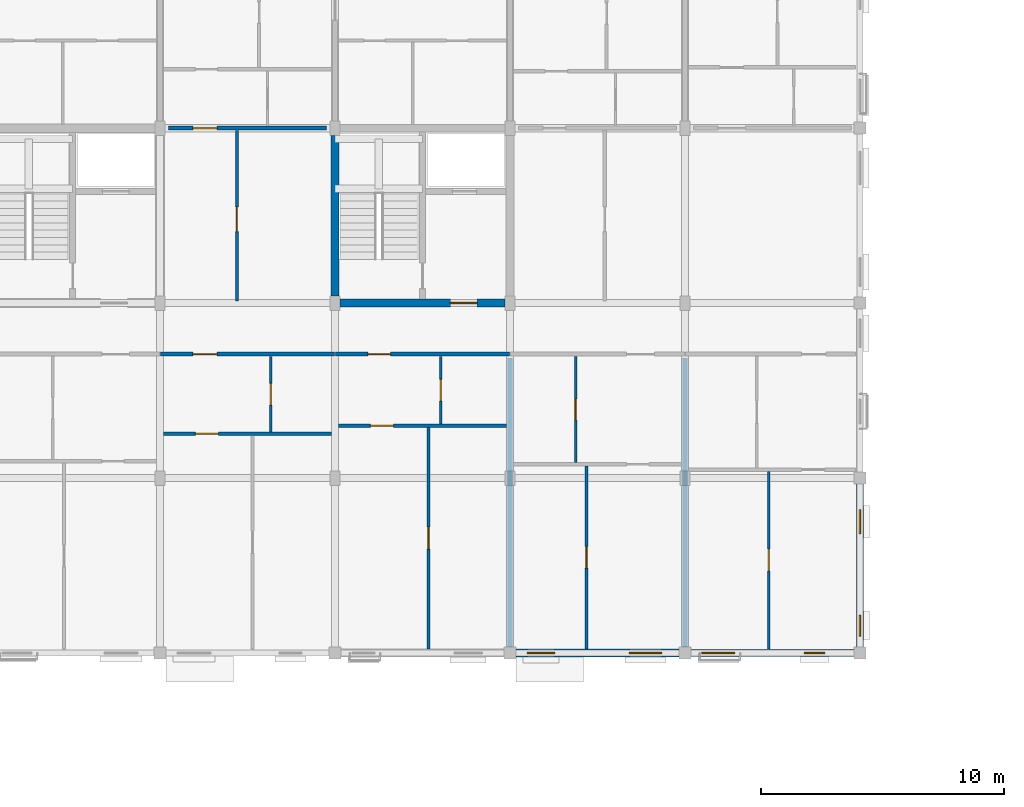
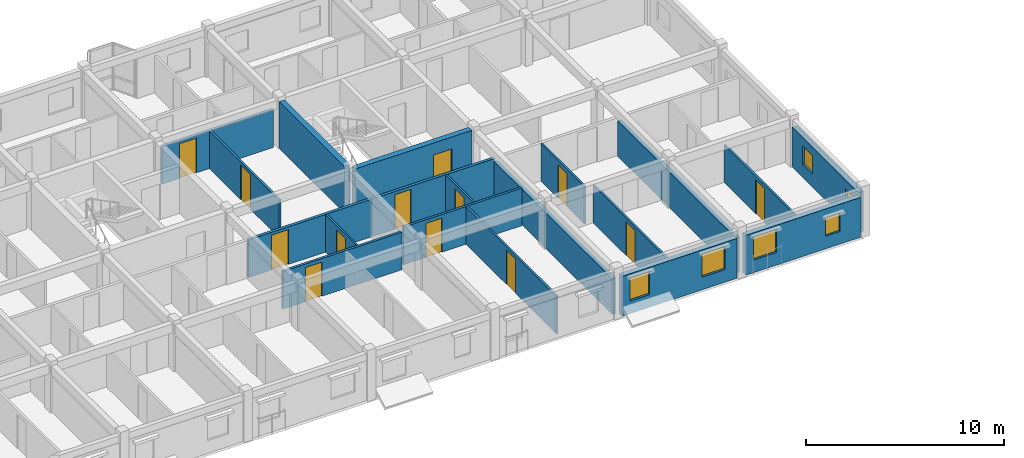
# One storey, part 28 of 38: 19 walls, 13 doors, 6 windows, 19 openings.
"""IFC4 building model written with IfcOpenShell, lengths in metres."""

from ifc_helpers import new_model, si_unit, direction, frame, frame_2d, origin, place, context, subcontext, project, spatial, rectangle, extrude, material, layer, layer_set, type_object, element, fill, save


model = new_model("IFC4")

# Units and contexts
model_context = context("Model", 3, precision=1e-05, world=origin(), true_north=direction((0.0, 1.0)))
body_context = subcontext(model_context, "Body", "Model", "MODEL_VIEW")
ifc_project = project(units=[si_unit("LENGTHUNIT", "METRE"), si_unit("AREAUNIT", "SQUARE_METRE"), si_unit("VOLUMEUNIT", "CUBIC_METRE"), si_unit("PLANEANGLEUNIT", "RADIAN"), si_unit("MASSUNIT", "GRAM", prefix="KILO"), si_unit("THERMODYNAMICTEMPERATUREUNIT", "KELVIN"), si_unit("POWERUNIT", "WATT")], contexts=[model_context])

# Site, building, storey
site_placement = place(None, origin())
site = spatial("IfcSite", under=ifc_project, at=site_placement, CompositionType="ELEMENT")
building_placement = place(site_placement, origin())
building = spatial("IfcBuilding", under=site, at=building_placement, Name="Tavuni Mirador Residences", CompositionType="ELEMENT")
storey_placement = place(building_placement, frame((0.0, 0.0, 32.85009765625)))
storey = spatial("IfcBuildingStorey", under=building, at=storey_placement, Name="L10", CompositionType="ELEMENT", Elevation=32.85009765625)

# Wall
ifc_material_1 = material(Name="Precast concrete C40/50", Category="concrete")
ifc_layer_1 = layer(ifc_material_1, 0.320068359375, Name="Precast concrete C40/50", Category="concrete")
ifc_layer_set_1 = layer_set([ifc_layer_1], Name="Precast concrete C40/50")
wall_type_1 = type_object("IfcWallType", Name="WT-COR320", PredefinedType="SHEAR", material=ifc_layer_set_1)
wall_1_placement = place(storey_placement, frame((39.60009765625, 158.699951171875, 0.0), z_axis=(0.0, 0.0, 1.0), x_axis=(0.0, 1.0, 0.0)))
element("IfcWall", 1, at=wall_1_placement, inside=storey, type_object=wall_type_1, Name="CWALL-C6-L10-W", PredefinedType="SHEAR", context=body_context, shape_type="SweptSolid", body=[
    extrude(rectangle(XDim=6.60009765625, YDim=0.320068359375, at=frame_2d((3.300048828125, 0.0))), origin(), (0.0, 0.0, 1.0), 2.885009765625),
])

# Wall, opening, door
wall_2_placement = place(storey_placement, frame((39.800048828125, 158.39990234375, 0.0), z_axis=(0.0, 0.0, 1.0), x_axis=(1.0, 0.0, 0.0)))
wall_2 = element("IfcWall", 2, at=wall_2_placement, inside=storey, type_object=wall_type_1, Name="CWALL-C6-L10-SS", PredefinedType="SHEAR", context=body_context, shape_type="SweptSolid", body=[
    extrude(rectangle(XDim=6.800048828125, YDim=0.320068359375, at=frame_2d((3.39990234375, 0.0))), origin(), (0.0, 0.0, 1.0), 2.885009765625),
])
opening_1_placement = place(wall_2_placement, frame((4.550048828125, 0.0, 0.0)))
opening_1 = element("IfcOpeningElement", 3, at=opening_1_placement, cuts=wall_2, Name="Opening D-02", PredefinedType="OPENING", context=body_context, shape_type="SweptSolid", body=[
    extrude(rectangle(XDim=1.10009765625, YDim=2.14990234375, at=frame_2d((0.550048828125, 1.074951171875))), frame((0.0, 0.169921875, 0.0), z_axis=(0.0, -1.0, 0.0), x_axis=(1.0, 0.0, 0.0)), (0.0, 0.0, 1.0), 0.340087890625),
])
ifc_material_2 = material(Name="Solid core iroko timber", Category="wood")
door_type_1 = type_object("IfcDoorType", Name="DT-LOB1100", OperationType="NOTDEFINED", PredefinedType="DOOR", material=ifc_material_2)
door_1_placement = place(opening_1_placement, frame((1.10009765625, 0.0, 0.0), z_axis=(0.0, 0.0, 1.0), x_axis=(-1.0, 0.0, 0.0)))
door_1 = element("IfcDoor", 4, at=door_1_placement, inside=storey, type_object=door_type_1, Name="DR-2249", OperationType="SINGLE_SWING_LEFT", OverallHeight=2.14990234375, OverallWidth=1.10009765625, PredefinedType="DOOR", context=body_context, shape_type="SweptSolid", body=[
    extrude(rectangle(XDim=1.10009765625, YDim=2.14990234375, at=frame_2d((0.550048828125, 1.074951171875))), frame((0.0, 0.02490234375, 0.0), z_axis=(0.0, -1.0, 0.0), x_axis=(1.0, 0.0, 0.0)), (0.0, 0.0, 1.0), 0.050048828125),
])
fill(opening_1, door_1)

ifc_layer_2 = layer(ifc_material_1, 0.1650390625, Name="Precast concrete C40/50", Category="concrete")
ifc_layer_set_2 = layer_set([ifc_layer_2], Name="Precast concrete C40/50")
wall_type_2 = type_object("IfcWallType", Name="WT-CORR165", PredefinedType="PARTITIONING", material=ifc_layer_set_2)
wall_3_placement = place(storey_placement, frame((32.419921875, 156.300048828125, 0.0), z_axis=(0.0, 0.0, 1.0), x_axis=(1.0, 0.0, 0.0)))
wall_3 = element("IfcWall", 5, at=wall_3_placement, inside=storey, type_object=wall_type_2, Name="CORW-BLK-C-L10-0-03", PredefinedType="PARTITIONING", context=body_context, shape_type="SweptSolid", body=[
    extrude(rectangle(XDim=7.16015625, YDim=0.1650390625, at=frame_2d((3.580078125, 0.0))), origin(), (0.0, 0.0, 1.0), 2.31982421875),
])
opening_2_placement = place(wall_3_placement, frame((1.330078125, 0.0, 0.0)))
opening_2 = element("IfcOpeningElement", 6, at=opening_2_placement, cuts=wall_3, Name="Opening D-03", PredefinedType="OPENING", context=body_context, shape_type="SweptSolid", body=[
    extrude(rectangle(XDim=1.0, YDim=2.14990234375, at=frame_2d((0.5, 1.074951171875))), frame((0.0, 0.092529296875, 0.0), z_axis=(0.0, -1.0, 0.0), x_axis=(1.0, 0.0, 0.0)), (0.0, 0.0, 1.0), 0.18505859375),
])
door_type_2 = type_object("IfcDoorType", Name="DT-FD60-1000", OperationType="NOTDEFINED", PredefinedType="DOOR", material=ifc_material_2)
door_2_placement = place(opening_2_placement, origin())
door_2 = element("IfcDoor", 7, at=door_2_placement, inside=storey, type_object=door_type_2, Name="DR-2766", OperationType="SINGLE_SWING_LEFT", OverallHeight=2.14990234375, OverallWidth=1.0, PredefinedType="DOOR", context=body_context, shape_type="SweptSolid", body=[
    extrude(rectangle(XDim=1.0, YDim=2.14990234375, at=frame_2d((0.5, 1.074951171875))), frame((0.0, 0.02490234375, 0.0), z_axis=(0.0, -1.0, 0.0), x_axis=(1.0, 0.0, 0.0)), (0.0, 0.0, 1.0), 0.050048828125),
])
fill(opening_2, door_2)

wall_4_placement = place(storey_placement, frame((39.6201171875, 156.300048828125, 0.0), z_axis=(0.0, 0.0, 1.0), x_axis=(1.0, 0.0, 0.0)))
wall_4 = element("IfcWall", 8, at=wall_4_placement, inside=storey, type_object=wall_type_2, Name="CORW-BLK-C-L10-0-04", PredefinedType="PARTITIONING", context=body_context, shape_type="SweptSolid", body=[
    extrude(rectangle(XDim=7.159912109375, YDim=0.1650390625, at=frame_2d((3.580078125, 0.0))), origin(), (0.0, 0.0, 1.0), 2.31982421875),
])
opening_3_placement = place(wall_4_placement, frame((1.330078125, 0.0, 0.0)))
opening_3 = element("IfcOpeningElement", 9, at=opening_3_placement, cuts=wall_4, Name="Opening D-19", PredefinedType="OPENING", context=body_context, shape_type="SweptSolid", body=[
    extrude(rectangle(XDim=0.93994140625, YDim=2.1201171875, at=frame_2d((0.469970703125, 1.06005859375))), frame((0.0, 0.092529296875, 0.0), z_axis=(0.0, -1.0, 0.0), x_axis=(1.0, 0.0, 0.0)), (0.0, 0.0, 1.0), 0.18505859375),
])
door_type_3 = type_object("IfcDoorType", Name="DT-FD60-940", OperationType="NOTDEFINED", PredefinedType="DOOR", material=ifc_material_2)
door_3_placement = place(opening_3_placement, origin())
door_3 = element("IfcDoor", 10, at=door_3_placement, inside=storey, type_object=door_type_3, Name="DR-2767", OperationType="SINGLE_SWING_RIGHT", OverallHeight=2.1201171875, OverallWidth=0.93994140625, PredefinedType="DOOR", context=body_context, shape_type="SweptSolid", body=[
    extrude(rectangle(XDim=0.93994140625, YDim=2.1201171875, at=frame_2d((0.469970703125, 1.06005859375))), frame((0.0, 0.02490234375, 0.0), z_axis=(0.0, -1.0, 0.0), x_axis=(1.0, 0.0, 0.0)), (0.0, 0.0, 1.0), 0.050048828125),
])
fill(opening_3, door_3)

wall_5_placement = place(storey_placement, frame((32.75, 165.60009765625, 0.0), z_axis=(0.0, 0.0, 1.0), x_axis=(1.0, 0.0, 0.0)))
wall_5 = element("IfcWall", 11, at=wall_5_placement, inside=storey, type_object=wall_type_2, Name="CORW-BLK-C-L10-1-03", PredefinedType="PARTITIONING", context=body_context, shape_type="SweptSolid", body=[
    extrude(rectangle(XDim=6.5, YDim=0.1650390625, at=frame_2d((3.25, 0.0))), origin(), (0.0, 0.0, 1.0), 2.31982421875),
])
opening_4_placement = place(wall_5_placement, frame((1.0, 0.0, 0.0)))
opening_4 = element("IfcOpeningElement", 12, at=opening_4_placement, cuts=wall_5, Name="Opening D-03", PredefinedType="OPENING", context=body_context, shape_type="SweptSolid", body=[
    extrude(rectangle(XDim=1.0, YDim=2.14990234375, at=frame_2d((0.5, 1.074951171875))), frame((0.0, 0.092529296875, 0.0), z_axis=(0.0, -1.0, 0.0), x_axis=(1.0, 0.0, 0.0)), (0.0, 0.0, 1.0), 0.18505859375),
])
door_4_placement = place(opening_4_placement, origin())
door_4 = element("IfcDoor", 13, at=door_4_placement, inside=storey, type_object=door_type_2, Name="DR-2772", OperationType="SINGLE_SWING_LEFT", OverallHeight=2.14990234375, OverallWidth=1.0, PredefinedType="DOOR", context=body_context, shape_type="SweptSolid", body=[
    extrude(rectangle(XDim=1.0, YDim=2.14990234375, at=frame_2d((0.5, 1.074951171875))), frame((0.0, 0.02490234375, 0.0), z_axis=(0.0, -1.0, 0.0), x_axis=(1.0, 0.0, 0.0)), (0.0, 0.0, 1.0), 0.050048828125),
])
fill(opening_4, door_4)

# Wall, openings, windows
ifc_material_3 = material(Name="Sgraffito lime-rendered precast concrete C40/50", Category="concrete")
ifc_layer_3 = layer(ifc_material_3, 0.2900390625, Name="Sgraffito lime-rendered precast concrete C40/50", Category="concrete")
ifc_layer_set_3 = layer_set([ifc_layer_3], Name="Sgraffito lime-rendered precast concrete C40/50")
wall_type_3 = type_object("IfcWallType", Name="WT-EXT-PC290", PredefinedType="SOLIDWALL", material=ifc_layer_set_3)
wall_6_placement = place(storey_placement, frame((61.199951171875, 144.25, 0.0), z_axis=(0.0, 0.0, 1.0), x_axis=(0.0, 1.0, 0.0)))
wall_6 = element("IfcWall", 14, at=wall_6_placement, inside=storey, type_object=wall_type_3, Name="EW-BLK-C-L10-E00", PredefinedType="SOLIDWALL", context=body_context, shape_type="SweptSolid", body=[
    extrude(rectangle(XDim=6.699951171875, YDim=0.2900390625, at=frame_2d((3.35009765625, 0.0))), origin(), (0.0, 0.0, 1.0), 2.454833984375),
])
opening_5_placement = place(wall_6_placement, frame((0.449951171875, 0.0, 0.780029296875)))
opening_5 = element("IfcOpeningElement", 15, at=opening_5_placement, cuts=wall_6, Name="Opening WN-01", PredefinedType="OPENING", context=body_context, shape_type="SweptSolid", body=[
    extrude(rectangle(XDim=0.85009765625, YDim=1.14990234375, at=frame_2d((0.425048828125, 0.574951171875))), frame((0.0, 0.155029296875, 0.0), z_axis=(0.0, -1.0, 0.0), x_axis=(1.0, 0.0, 0.0)), (0.0, 0.0, 1.0), 0.31005859375),
])
opening_6_placement = place(wall_6_placement, frame((4.64990234375, 0.0, 0.780029296875)))
opening_6 = element("IfcOpeningElement", 16, at=opening_6_placement, cuts=wall_6, Name="Opening WN-03", PredefinedType="OPENING", context=body_context, shape_type="SweptSolid", body=[
    extrude(rectangle(XDim=1.0, YDim=1.14990234375, at=frame_2d((0.5, 0.574951171875))), frame((0.0, 0.155029296875, 0.0), z_axis=(0.0, -1.0, 0.0), x_axis=(1.0, 0.0, 0.0)), (0.0, 0.0, 1.0), 0.31005859375),
])
ifc_material_4 = material(Name="Laminated solar-control glass", Category="glass")
window_type_1 = type_object("IfcWindowType", Name="WNT-01", PartitioningType="SINGLE_PANEL", PredefinedType="WINDOW", material=ifc_material_4)
window_1_placement = place(opening_5_placement, origin())
window_1 = element("IfcWindow", 17, at=window_1_placement, inside=storey, type_object=window_type_1, Name="WIN-1280", OverallHeight=1.14990234375, OverallWidth=0.85009765625, PartitioningType="SINGLE_PANEL", PredefinedType="WINDOW", context=body_context, shape_type="SweptSolid", body=[
    extrude(rectangle(XDim=0.85009765625, YDim=1.14990234375, at=frame_2d((0.425048828125, 0.574951171875))), frame((0.0, 0.030029296875, 0.0), z_axis=(0.0, -1.0, 0.0), x_axis=(1.0, 0.0, 0.0)), (0.0, 0.0, 1.0), 0.06005859375),
])
fill(opening_5, window_1)
window_type_2 = type_object("IfcWindowType", Name="WNT-03", PartitioningType="SINGLE_PANEL", PredefinedType="WINDOW", material=ifc_material_4)
window_2_placement = place(opening_6_placement, origin())
window_2 = element("IfcWindow", 18, at=window_2_placement, inside=storey, type_object=window_type_2, Name="WIN-1281", OverallHeight=1.14990234375, OverallWidth=1.0, PartitioningType="SINGLE_PANEL", PredefinedType="WINDOW", context=body_context, shape_type="SweptSolid", body=[
    extrude(rectangle(XDim=1.0, YDim=1.14990234375, at=frame_2d((0.5, 0.574951171875))), frame((0.0, 0.030029296875, 0.0), z_axis=(0.0, -1.0, 0.0), x_axis=(1.0, 0.0, 0.0)), (0.0, 0.0, 1.0), 0.06005859375),
])
fill(opening_6, window_2)

ifc_layer_4 = layer(ifc_material_3, 0.304931640625, Name="Sgraffito lime-rendered precast concrete C40/50", Category="concrete")
ifc_layer_set_4 = layer_set([ifc_layer_4], Name="Sgraffito lime-rendered precast concrete C40/50")
wall_type_4 = type_object("IfcWallType", Name="WT-EXT-PC305", PredefinedType="SOLIDWALL", material=ifc_layer_set_4)
wall_7_placement = place(storey_placement, frame((54.25, 144.0, 0.0), z_axis=(0.0, 0.0, 1.0), x_axis=(1.0, 0.0, 0.0)))
wall_7 = element("IfcWall", 19, at=wall_7_placement, inside=storey, type_object=wall_type_4, Name="EW-BLK-C-L10-S06", PredefinedType="SOLIDWALL", context=body_context, shape_type="SweptSolid", body=[
    extrude(rectangle(XDim=6.699951171875, YDim=0.304931640625, at=frame_2d((3.35009765625, 0.0))), origin(), (0.0, 0.0, 1.0), 2.454833984375),
])
opening_7_placement = place(wall_7_placement, frame((0.449951171875, 0.0, 0.780029296875)))
opening_7 = element("IfcOpeningElement", 20, at=opening_7_placement, cuts=wall_7, Name="Opening WN-29", PredefinedType="OPENING", context=body_context, shape_type="SweptSolid", body=[
    extrude(rectangle(XDim=1.35009765625, YDim=1.43994140625, at=frame_2d((0.675048828125, 0.719970703125))), frame((0.0, 0.16259765625, 0.0), z_axis=(0.0, -1.0, 0.0), x_axis=(1.0, 0.0, 0.0)), (0.0, 0.0, 1.0), 0.324951171875),
])
opening_8_placement = place(wall_7_placement, frame((4.64990234375, 0.0, 0.780029296875)))
opening_8 = element("IfcOpeningElement", 21, at=opening_8_placement, cuts=wall_7, Name="Opening WN-01", PredefinedType="OPENING", context=body_context, shape_type="SweptSolid", body=[
    extrude(rectangle(XDim=0.85009765625, YDim=1.14990234375, at=frame_2d((0.425048828125, 0.574951171875))), frame((0.0, 0.16259765625, 0.0), z_axis=(0.0, -1.0, 0.0), x_axis=(1.0, 0.0, 0.0)), (0.0, 0.0, 1.0), 0.324951171875),
])
window_3_placement = place(opening_8_placement, origin())
window_3 = element("IfcWindow", 22, at=window_3_placement, inside=storey, type_object=window_type_1, Name="WIN-1279", OverallHeight=1.14990234375, OverallWidth=0.85009765625, PartitioningType="SINGLE_PANEL", PredefinedType="WINDOW", context=body_context, shape_type="SweptSolid", body=[
    extrude(rectangle(XDim=0.85009765625, YDim=1.14990234375, at=frame_2d((0.425048828125, 0.574951171875))), frame((0.0, 0.030029296875, 0.0), z_axis=(0.0, -1.0, 0.0), x_axis=(1.0, 0.0, 0.0)), (0.0, 0.0, 1.0), 0.06005859375),
])
fill(opening_8, window_3)
window_type_3 = type_object("IfcWindowType", Name="WNT-29", PartitioningType="SINGLE_PANEL", PredefinedType="WINDOW", material=ifc_material_4)
window_4_placement = place(opening_7_placement, origin())
window_4 = element("IfcWindow", 23, at=window_4_placement, inside=storey, type_object=window_type_3, Name="WIN-1278", OverallHeight=1.43994140625, OverallWidth=1.35009765625, PartitioningType="SINGLE_PANEL", PredefinedType="WINDOW", context=body_context, shape_type="SweptSolid", body=[
    extrude(rectangle(XDim=1.35009765625, YDim=1.43994140625, at=frame_2d((0.675048828125, 0.719970703125))), frame((0.0, 0.030029296875, 0.0), z_axis=(0.0, -1.0, 0.0), x_axis=(1.0, 0.0, 0.0)), (0.0, 0.0, 1.0), 0.06005859375),
])
fill(opening_7, window_4)

ifc_layer_5 = layer(ifc_material_3, 0.31494140625, Name="Sgraffito lime-rendered precast concrete C40/50", Category="concrete")
ifc_layer_set_5 = layer_set([ifc_layer_5], Name="Sgraffito lime-rendered precast concrete C40/50")
wall_type_5 = type_object("IfcWallType", Name="WT-EXT-PC315", PredefinedType="SOLIDWALL", material=ifc_layer_set_5)
wall_8_placement = place(storey_placement, frame((47.050048828125, 144.0, 0.0), z_axis=(0.0, 0.0, 1.0), x_axis=(1.0, 0.0, 0.0)))
wall_8 = element("IfcWall", 24, at=wall_8_placement, inside=storey, type_object=wall_type_5, Name="EW-BLK-C-L10-S05", PredefinedType="SOLIDWALL", context=body_context, shape_type="SweptSolid", body=[
    extrude(rectangle(XDim=6.699951171875, YDim=0.31494140625, at=frame_2d((3.35009765625, 0.0))), origin(), (0.0, 0.0, 1.0), 2.454833984375),
])
opening_9_placement = place(wall_8_placement, frame((0.449951171875, 0.0, 0.780029296875)))
opening_9 = element("IfcOpeningElement", 25, at=opening_9_placement, cuts=wall_8, Name="Opening WN-27", PredefinedType="OPENING", context=body_context, shape_type="SweptSolid", body=[
    extrude(rectangle(XDim=1.14990234375, YDim=1.43994140625, at=frame_2d((0.574951171875, 0.719970703125))), frame((0.0, 0.16748046875, 0.0), z_axis=(0.0, -1.0, 0.0), x_axis=(1.0, 0.0, 0.0)), (0.0, 0.0, 1.0), 0.3349609375),
])
opening_10_placement = place(wall_8_placement, frame((4.64990234375, 0.0, 0.780029296875)))
opening_10 = element("IfcOpeningElement", 26, at=opening_10_placement, cuts=wall_8, Name="Opening WN-29", PredefinedType="OPENING", context=body_context, shape_type="SweptSolid", body=[
    extrude(rectangle(XDim=1.35009765625, YDim=1.43994140625, at=frame_2d((0.675048828125, 0.719970703125))), frame((0.0, 0.16748046875, 0.0), z_axis=(0.0, -1.0, 0.0), x_axis=(1.0, 0.0, 0.0)), (0.0, 0.0, 1.0), 0.3349609375),
])
window_type_4 = type_object("IfcWindowType", Name="WNT-27", PartitioningType="SINGLE_PANEL", PredefinedType="WINDOW", material=ifc_material_4)
window_5_placement = place(opening_9_placement, origin())
window_5 = element("IfcWindow", 27, at=window_5_placement, inside=storey, type_object=window_type_4, Name="WIN-1276", OverallHeight=1.43994140625, OverallWidth=1.14990234375, PartitioningType="SINGLE_PANEL", PredefinedType="WINDOW", context=body_context, shape_type="SweptSolid", body=[
    extrude(rectangle(XDim=1.14990234375, YDim=1.43994140625, at=frame_2d((0.574951171875, 0.719970703125))), frame((0.0, 0.030029296875, 0.0), z_axis=(0.0, -1.0, 0.0), x_axis=(1.0, 0.0, 0.0)), (0.0, 0.0, 1.0), 0.06005859375),
])
fill(opening_9, window_5)
window_6_placement = place(opening_10_placement, origin())
window_6 = element("IfcWindow", 28, at=window_6_placement, inside=storey, type_object=window_type_3, Name="WIN-1277", OverallHeight=1.43994140625, OverallWidth=1.35009765625, PartitioningType="SINGLE_PANEL", PredefinedType="WINDOW", context=body_context, shape_type="SweptSolid", body=[
    extrude(rectangle(XDim=1.35009765625, YDim=1.43994140625, at=frame_2d((0.675048828125, 0.719970703125))), frame((0.0, 0.030029296875, 0.0), z_axis=(0.0, -1.0, 0.0), x_axis=(1.0, 0.0, 0.0)), (0.0, 0.0, 1.0), 0.06005859375),
])
fill(opening_10, window_6)

# Wall, opening, door
ifc_material_5 = material(Name="Acoustic gypsum and concrete block partition", Category="concrete")
ifc_layer_6 = layer(ifc_material_5, 0.10498046875, Name="Acoustic gypsum and concrete block partition", Category="concrete")
ifc_layer_set_6 = layer_set([ifc_layer_6], Name="Acoustic gypsum and concrete block partition")
wall_type_6 = type_object("IfcWallType", Name="WT-PART105", PredefinedType="PARTITIONING", material=ifc_layer_set_6)
wall_9_placement = place(storey_placement, frame((36.949951171875, 153.090087890625, 0.0), z_axis=(0.0, 0.0, 1.0), x_axis=(0.0, 1.0, 0.0)))
wall_9 = element("IfcWall", 29, at=wall_9_placement, inside=storey, type_object=wall_type_6, Name="PW-BLK-C-L10-S03-IN1", PredefinedType="PARTITIONING", context=body_context, shape_type="SweptSolid", body=[
    extrude(rectangle(XDim=3.119873046875, YDim=0.10498046875, at=frame_2d((1.56005859375, 0.0))), origin(), (0.0, 0.0, 1.0), 2.31982421875),
])
opening_11_placement = place(wall_9_placement, frame((1.110107421875, 0.0, 0.0)))
opening_11 = element("IfcOpeningElement", 30, at=opening_11_placement, cuts=wall_9, Name="Opening D-09", PredefinedType="OPENING", context=body_context, shape_type="SweptSolid", body=[
    extrude(rectangle(XDim=0.89990234375, YDim=2.050048828125, at=frame_2d((0.449951171875, 1.02490234375))), frame((0.0, 0.0625, 0.0), z_axis=(0.0, -1.0, 0.0), x_axis=(1.0, 0.0, 0.0)), (0.0, 0.0, 1.0), 0.125),
])
door_type_4 = type_object("IfcDoorType", Name="DT-WC900", OperationType="NOTDEFINED", PredefinedType="DOOR", material=ifc_material_2)
door_5_placement = place(opening_11_placement, origin())
door_5 = element("IfcDoor", 31, at=door_5_placement, inside=storey, type_object=door_type_4, Name="DR-4175", OperationType="SINGLE_SWING_LEFT", OverallHeight=2.050048828125, OverallWidth=0.89990234375, PredefinedType="DOOR", context=body_context, shape_type="SweptSolid", body=[
    extrude(rectangle(XDim=0.89990234375, YDim=2.050048828125, at=frame_2d((0.449951171875, 1.02490234375))), frame((0.0, 0.02490234375, 0.0), z_axis=(0.0, -1.0, 0.0), x_axis=(1.0, 0.0, 0.0)), (0.0, 0.0, 1.0), 0.050048828125),
])
fill(opening_11, door_5)

wall_10_placement = place(storey_placement, frame((43.949951171875, 153.419921875, 0.0), z_axis=(0.0, 0.0, 1.0), x_axis=(0.0, 1.0, 0.0)))
wall_10 = element("IfcWall", 32, at=wall_10_placement, inside=storey, type_object=wall_type_6, Name="PW-BLK-C-L10-S04-IN1", PredefinedType="PARTITIONING", context=body_context, shape_type="SweptSolid", body=[
    extrude(rectangle(XDim=2.7900390625, YDim=0.10498046875, at=frame_2d((1.39501953125, 0.0))), origin(), (0.0, 0.0, 1.0), 2.31982421875),
])
opening_12_placement = place(wall_10_placement, frame((0.945068359375, 0.0, 0.0)))
opening_12 = element("IfcOpeningElement", 33, at=opening_12_placement, cuts=wall_10, Name="Opening D-09", PredefinedType="OPENING", context=body_context, shape_type="SweptSolid", body=[
    extrude(rectangle(XDim=0.89990234375, YDim=2.050048828125, at=frame_2d((0.449951171875, 1.02490234375))), frame((0.0, 0.0625, 0.0), z_axis=(0.0, -1.0, 0.0), x_axis=(1.0, 0.0, 0.0)), (0.0, 0.0, 1.0), 0.125),
])
door_6_placement = place(opening_12_placement, origin())
door_6 = element("IfcDoor", 34, at=door_6_placement, inside=storey, type_object=door_type_4, Name="DR-4181", OperationType="SINGLE_SWING_LEFT", OverallHeight=2.050048828125, OverallWidth=0.89990234375, PredefinedType="DOOR", context=body_context, shape_type="SweptSolid", body=[
    extrude(rectangle(XDim=0.89990234375, YDim=2.050048828125, at=frame_2d((0.449951171875, 1.02490234375))), frame((0.0, 0.02490234375, 0.0), z_axis=(0.0, -1.0, 0.0), x_axis=(1.0, 0.0, 0.0)), (0.0, 0.0, 1.0), 0.050048828125),
])
fill(opening_12, door_6)

wall_11_placement = place(storey_placement, frame((49.5, 151.840087890625, 0.0), z_axis=(0.0, 0.0, 1.0), x_axis=(0.0, 1.0, 0.0)))
wall_11 = element("IfcWall", 35, at=wall_11_placement, inside=storey, type_object=wall_type_6, Name="PW-BLK-C-L10-S05-IN1", PredefinedType="PARTITIONING", context=body_context, shape_type="SweptSolid", body=[
    extrude(rectangle(XDim=4.369873046875, YDim=0.10498046875, at=frame_2d((2.18505859375, 0.0))), origin(), (0.0, 0.0, 1.0), 2.31982421875),
])
opening_13_placement = place(wall_11_placement, frame((1.75, 0.0, 0.0)))
opening_13 = element("IfcOpeningElement", 36, at=opening_13_placement, cuts=wall_11, Name="Opening D-10", PredefinedType="OPENING", context=body_context, shape_type="SweptSolid", body=[
    extrude(rectangle(XDim=0.8701171875, YDim=2.050048828125, at=frame_2d((0.43505859375, 1.02490234375))), frame((0.0, 0.0625, 0.0), z_axis=(0.0, -1.0, 0.0), x_axis=(1.0, 0.0, 0.0)), (0.0, 0.0, 1.0), 0.125),
])
door_type_5 = type_object("IfcDoorType", Name="DT-WC870", OperationType="NOTDEFINED", PredefinedType="DOOR", material=ifc_material_2)
door_7_placement = place(opening_13_placement, origin())
door_7 = element("IfcDoor", 37, at=door_7_placement, inside=storey, type_object=door_type_5, Name="DR-4187", OperationType="SINGLE_SWING_RIGHT", OverallHeight=2.050048828125, OverallWidth=0.8701171875, PredefinedType="DOOR", context=body_context, shape_type="SweptSolid", body=[
    extrude(rectangle(XDim=0.8701171875, YDim=2.050048828125, at=frame_2d((0.43505859375, 1.02490234375))), frame((0.0, 0.02490234375, 0.0), z_axis=(0.0, -1.0, 0.0), x_axis=(1.0, 0.0, 0.0)), (0.0, 0.0, 1.0), 0.050048828125),
])
fill(opening_13, door_7)

ifc_layer_7 = layer(ifc_material_5, 0.114990234375, Name="Acoustic gypsum and concrete block partition", Category="concrete")
ifc_layer_set_7 = layer_set([ifc_layer_7], Name="Acoustic gypsum and concrete block partition")
wall_type_7 = type_object("IfcWallType", Name="WT-PART115", PredefinedType="PARTITIONING", material=ifc_layer_set_7)
wall_12_placement = place(storey_placement, frame((43.449951171875, 144.175048828125, 0.0), z_axis=(0.0, 0.0, 1.0), x_axis=(0.0, 1.0, 0.0)))
wall_12 = element("IfcWall", 38, at=wall_12_placement, inside=storey, type_object=wall_type_7, Name="PW-BLK-C-L10-S04-OUT", PredefinedType="PARTITIONING", context=body_context, shape_type="SweptSolid", body=[
    extrude(rectangle(XDim=9.10498046875, YDim=0.114990234375, at=frame_2d((4.552490234375, 0.0))), origin(), (0.0, 0.0, 1.0), 2.31982421875),
])
opening_14_placement = place(wall_12_placement, frame((4.1025390625, 0.0, 0.0)))
opening_14 = element("IfcOpeningElement", 39, at=opening_14_placement, cuts=wall_12, Name="Opening D-07", PredefinedType="OPENING", context=body_context, shape_type="SweptSolid", body=[
    extrude(rectangle(XDim=0.89990234375, YDim=2.10009765625, at=frame_2d((0.449951171875, 1.050048828125))), frame((0.0, 0.0673828125, 0.0), z_axis=(0.0, -1.0, 0.0), x_axis=(1.0, 0.0, 0.0)), (0.0, 0.0, 1.0), 0.135009765625),
])
door_type_6 = type_object("IfcDoorType", Name="DT-BED900", OperationType="NOTDEFINED", PredefinedType="DOOR", material=ifc_material_2)
door_8_placement = place(opening_14_placement, origin())
door_8 = element("IfcDoor", 40, at=door_8_placement, inside=storey, type_object=door_type_6, Name="DR-4180", OperationType="SINGLE_SWING_RIGHT", OverallHeight=2.10009765625, OverallWidth=0.89990234375, PredefinedType="DOOR", context=body_context, shape_type="SweptSolid", body=[
    extrude(rectangle(XDim=0.89990234375, YDim=2.10009765625, at=frame_2d((0.449951171875, 1.050048828125))), frame((0.0, 0.02490234375, 0.0), z_axis=(0.0, -1.0, 0.0), x_axis=(1.0, 0.0, 0.0)), (0.0, 0.0, 1.0), 0.050048828125),
])
fill(opening_14, door_8)

wall_13_placement = place(storey_placement, frame((49.949951171875, 144.175048828125, 0.0), z_axis=(0.0, 0.0, 1.0), x_axis=(0.0, 1.0, 0.0)))
wall_13 = element("IfcWall", 41, at=wall_13_placement, inside=storey, type_object=wall_type_7, Name="PW-BLK-C-L10-S05-OUT", PredefinedType="PARTITIONING", context=body_context, shape_type="SweptSolid", body=[
    extrude(rectangle(XDim=7.52490234375, YDim=0.114990234375, at=frame_2d((3.762451171875, 0.0))), origin(), (0.0, 0.0, 1.0), 2.31982421875),
])
opening_15_placement = place(wall_13_placement, frame((3.322509765625, 0.0, 0.0)))
opening_15 = element("IfcOpeningElement", 42, at=opening_15_placement, cuts=wall_13, Name="Opening D-08", PredefinedType="OPENING", context=body_context, shape_type="SweptSolid", body=[
    extrude(rectangle(XDim=0.8798828125, YDim=2.080078125, at=frame_2d((0.43994140625, 1.0400390625))), frame((0.0, 0.0673828125, 0.0), z_axis=(0.0, -1.0, 0.0), x_axis=(1.0, 0.0, 0.0)), (0.0, 0.0, 1.0), 0.135009765625),
])
door_type_7 = type_object("IfcDoorType", Name="DT-BED880", OperationType="NOTDEFINED", PredefinedType="DOOR", material=ifc_material_2)
door_9_placement = place(opening_15_placement, origin())
door_9 = element("IfcDoor", 43, at=door_9_placement, inside=storey, type_object=door_type_7, Name="DR-4186", OperationType="SINGLE_SWING_LEFT", OverallHeight=2.080078125, OverallWidth=0.8798828125, PredefinedType="DOOR", context=body_context, shape_type="SweptSolid", body=[
    extrude(rectangle(XDim=0.8798828125, YDim=2.080078125, at=frame_2d((0.43994140625, 1.0400390625))), frame((0.0, 0.02490234375, 0.0), z_axis=(0.0, -1.0, 0.0), x_axis=(1.0, 0.0, 0.0)), (0.0, 0.0, 1.0), 0.050048828125),
])
fill(opening_15, door_9)

wall_14_placement = place(storey_placement, frame((57.449951171875, 144.175048828125, 0.0), z_axis=(0.0, 0.0, 1.0), x_axis=(0.0, 1.0, 0.0)))
wall_14 = element("IfcWall", 44, at=wall_14_placement, inside=storey, type_object=wall_type_7, Name="PW-BLK-C-L10-S06-OUT", PredefinedType="PARTITIONING", context=body_context, shape_type="SweptSolid", body=[
    extrude(rectangle(XDim=7.304931640625, YDim=0.114990234375, at=frame_2d((3.65234375, 0.0))), origin(), (0.0, 0.0, 1.0), 2.31982421875),
])
opening_16_placement = place(wall_14_placement, frame((3.202392578125, 0.0, 0.0)))
opening_16 = element("IfcOpeningElement", 45, at=opening_16_placement, cuts=wall_14, Name="Opening D-07", PredefinedType="OPENING", context=body_context, shape_type="SweptSolid", body=[
    extrude(rectangle(XDim=0.89990234375, YDim=2.10009765625, at=frame_2d((0.449951171875, 1.050048828125))), frame((0.0, 0.0673828125, 0.0), z_axis=(0.0, -1.0, 0.0), x_axis=(1.0, 0.0, 0.0)), (0.0, 0.0, 1.0), 0.135009765625),
])
door_10_placement = place(opening_16_placement, origin())
door_10 = element("IfcDoor", 46, at=door_10_placement, inside=storey, type_object=door_type_6, Name="DR-4192", OperationType="SINGLE_SWING_RIGHT", OverallHeight=2.10009765625, OverallWidth=0.89990234375, PredefinedType="DOOR", context=body_context, shape_type="SweptSolid", body=[
    extrude(rectangle(XDim=0.89990234375, YDim=2.10009765625, at=frame_2d((0.449951171875, 1.050048828125))), frame((0.0, 0.02490234375, 0.0), z_axis=(0.0, -1.0, 0.0), x_axis=(1.0, 0.0, 0.0)), (0.0, 0.0, 1.0), 0.050048828125),
])
fill(opening_16, door_10)

ifc_layer_8 = layer(ifc_material_5, 0.125, Name="Acoustic gypsum and concrete block partition", Category="concrete")
ifc_layer_set_8 = layer_set([ifc_layer_8], Name="Acoustic gypsum and concrete block partition")
wall_type_8 = type_object("IfcWallType", Name="WT-PART125", PredefinedType="PARTITIONING", material=ifc_layer_set_8)
wall_15_placement = place(storey_placement, frame((35.56005859375, 158.489990234375, 0.0), z_axis=(0.0, 0.0, 1.0), x_axis=(0.0, 1.0, 0.0)))
wall_15 = element("IfcWall", 47, at=wall_15_placement, inside=storey, type_object=wall_type_8, Name="PW-SPN-BLK-C-L10-03", PredefinedType="PARTITIONING", context=body_context, shape_type="SweptSolid", body=[
    extrude(rectangle(XDim=7.02001953125, YDim=0.125, at=frame_2d((3.510009765625, 0.0))), origin(), (0.0, 0.0, 1.0), 2.31982421875),
])
opening_17_placement = place(wall_15_placement, frame((2.85009765625, 0.0, 0.0)))
opening_17 = element("IfcOpeningElement", 48, at=opening_17_placement, cuts=wall_15, Name="Opening D-13", PredefinedType="OPENING", context=body_context, shape_type="SweptSolid", body=[
    extrude(rectangle(XDim=1.02001953125, YDim=2.14990234375, at=frame_2d((0.510009765625, 1.074951171875))), frame((0.0, 0.072509765625, 0.0), z_axis=(0.0, -1.0, 0.0), x_axis=(1.0, 0.0, 0.0)), (0.0, 0.0, 1.0), 0.14501953125),
])
door_type_8 = type_object("IfcDoorType", Name="DT-MTG1020", OperationType="NOTDEFINED", PredefinedType="DOOR", material=ifc_material_2)
door_11_placement = place(opening_17_placement, origin())
door_11 = element("IfcDoor", 49, at=door_11_placement, inside=storey, type_object=door_type_8, Name="DR-4173", OperationType="SINGLE_SWING_RIGHT", OverallHeight=2.14990234375, OverallWidth=1.02001953125, PredefinedType="DOOR", context=body_context, shape_type="SweptSolid", body=[
    extrude(rectangle(XDim=1.02001953125, YDim=2.14990234375, at=frame_2d((0.510009765625, 1.074951171875))), frame((0.0, 0.02490234375, 0.0), z_axis=(0.0, -1.0, 0.0), x_axis=(1.0, 0.0, 0.0)), (0.0, 0.0, 1.0), 0.050048828125),
])
fill(opening_17, door_11)

ifc_layer_9 = layer(ifc_material_5, 0.139892578125, Name="Acoustic gypsum and concrete block partition", Category="concrete")
ifc_layer_set_9 = layer_set([ifc_layer_9], Name="Acoustic gypsum and concrete block partition")
wall_type_9 = type_object("IfcWallType", Name="WT-PART140", PredefinedType="PARTITIONING", material=ifc_layer_set_9)
wall_16_placement = place(storey_placement, frame((32.5400390625, 153.02001953125, 0.0), z_axis=(0.0, 0.0, 1.0), x_axis=(1.0, 0.0, 0.0)))
wall_16 = element("IfcWall", 50, at=wall_16_placement, inside=storey, type_object=wall_type_9, Name="PW-BLK-C-L10-S03-MID", PredefinedType="PARTITIONING", context=body_context, shape_type="SweptSolid", body=[
    extrude(rectangle(XDim=6.919921875, YDim=0.139892578125, at=frame_2d((3.4599609375, 0.0))), origin(), (0.0, 0.0, 1.0), 2.31982421875),
])
opening_18_placement = place(wall_16_placement, frame((1.31005859375, 0.0, 0.0)))
opening_18 = element("IfcOpeningElement", 51, at=opening_18_placement, cuts=wall_16, Name="Opening D-05", PredefinedType="OPENING", context=body_context, shape_type="SweptSolid", body=[
    extrude(rectangle(XDim=0.949951171875, YDim=2.10009765625, at=frame_2d((0.47509765625, 1.050048828125))), frame((0.0, 0.080078125, 0.0), z_axis=(0.0, -1.0, 0.0), x_axis=(1.0, 0.0, 0.0)), (0.0, 0.0, 1.0), 0.159912109375),
])
door_type_9 = type_object("IfcDoorType", Name="DT-INT950", OperationType="NOTDEFINED", PredefinedType="DOOR", material=ifc_material_2)
door_12_placement = place(opening_18_placement, origin())
door_12 = element("IfcDoor", 52, at=door_12_placement, inside=storey, type_object=door_type_9, Name="DR-4176", OperationType="SINGLE_SWING_LEFT", OverallHeight=2.10009765625, OverallWidth=0.949951171875, PredefinedType="DOOR", context=body_context, shape_type="SweptSolid", body=[
    extrude(rectangle(XDim=0.949951171875, YDim=2.10009765625, at=frame_2d((0.47509765625, 1.050048828125))), frame((0.0, 0.02490234375, 0.0), z_axis=(0.0, -1.0, 0.0), x_axis=(1.0, 0.0, 0.0)), (0.0, 0.0, 1.0), 0.050048828125),
])
fill(opening_18, door_12)

wall_17_placement = place(storey_placement, frame((39.739990234375, 153.35009765625, 0.0), z_axis=(0.0, 0.0, 1.0), x_axis=(1.0, 0.0, 0.0)))
wall_17 = element("IfcWall", 53, at=wall_17_placement, inside=storey, type_object=wall_type_9, Name="PW-BLK-C-L10-S04-MID", PredefinedType="PARTITIONING", context=body_context, shape_type="SweptSolid", body=[
    extrude(rectangle(XDim=6.919921875, YDim=0.139892578125, at=frame_2d((3.4599609375, 0.0))), origin(), (0.0, 0.0, 1.0), 2.31982421875),
])
opening_19_placement = place(wall_17_placement, frame((1.31005859375, 0.0, 0.0)))
opening_19 = element("IfcOpeningElement", 54, at=opening_19_placement, cuts=wall_17, Name="Opening D-05", PredefinedType="OPENING", context=body_context, shape_type="SweptSolid", body=[
    extrude(rectangle(XDim=0.949951171875, YDim=2.10009765625, at=frame_2d((0.47509765625, 1.050048828125))), frame((0.0, 0.080078125, 0.0), z_axis=(0.0, -1.0, 0.0), x_axis=(1.0, 0.0, 0.0)), (0.0, 0.0, 1.0), 0.159912109375),
])
door_13_placement = place(opening_19_placement, origin())
door_13 = element("IfcDoor", 55, at=door_13_placement, inside=storey, type_object=door_type_9, Name="DR-4182", OperationType="SINGLE_SWING_LEFT", OverallHeight=2.10009765625, OverallWidth=0.949951171875, PredefinedType="DOOR", context=body_context, shape_type="SweptSolid", body=[
    extrude(rectangle(XDim=0.949951171875, YDim=2.10009765625, at=frame_2d((0.47509765625, 1.050048828125))), frame((0.0, 0.02490234375, 0.0), z_axis=(0.0, -1.0, 0.0), x_axis=(1.0, 0.0, 0.0)), (0.0, 0.0, 1.0), 0.050048828125),
])
fill(opening_19, door_13)

# Walls
ifc_layer_10 = layer(ifc_material_1, 0.215087890625, Name="Precast concrete C40/50", Category="concrete")
ifc_layer_set_10 = layer_set([ifc_layer_10], Name="Precast concrete C40/50")
wall_type_10 = type_object("IfcWallType", Name="WT-XW215", PredefinedType="SOLIDWALL", material=ifc_layer_set_10)
for number, where, z_axis, x_axis, name in (
    (56, (46.800048828125, 144.25, 0.0), (0.0, 0.0, 1.0), (0.0, 1.0, 0.0), "XW-BLK-C-L10-S-05"),
    (57, (54.0, 144.25, 0.0), (0.0, 0.0, 1.0), (0.0, 1.0, 0.0), "XW-BLK-C-L10-S-06"),
):
    element("IfcWall", number, at=place(storey_placement, frame(where, z_axis=z_axis, x_axis=x_axis)), inside=storey, type_object=wall_type_10, Name=name, PredefinedType="SOLIDWALL", context=body_context, shape_type="SweptSolid", body=[
        extrude(rectangle(XDim=11.89990234375, YDim=0.215087890625, at=frame_2d((5.949951171875, 0.0))), origin(), (0.0, 0.0, 1.0), 2.184814453125),
    ])

save(model, "model.ifc")
